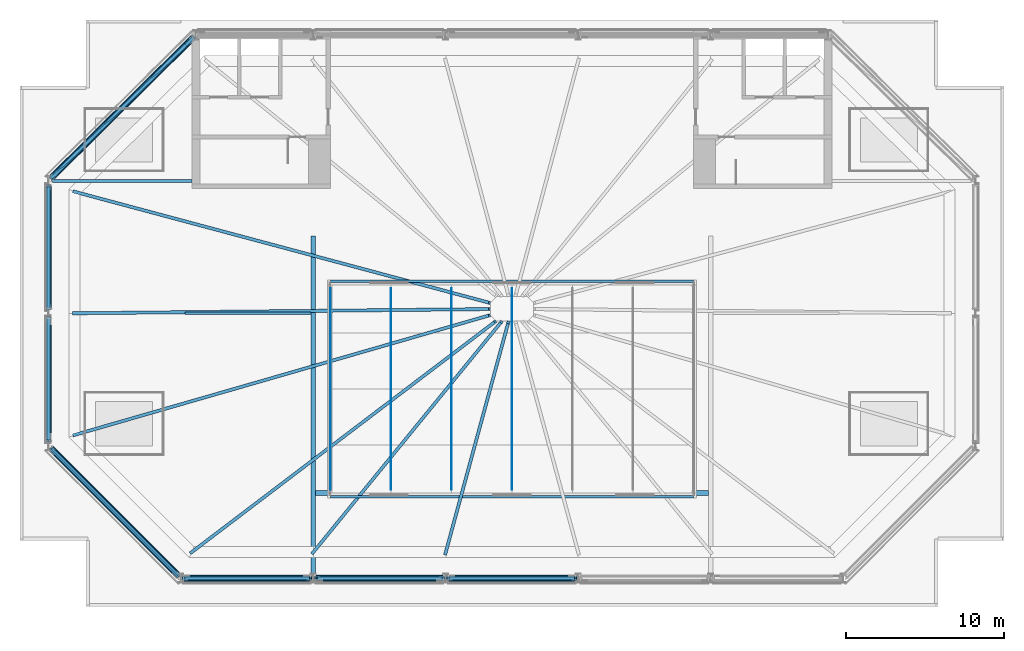
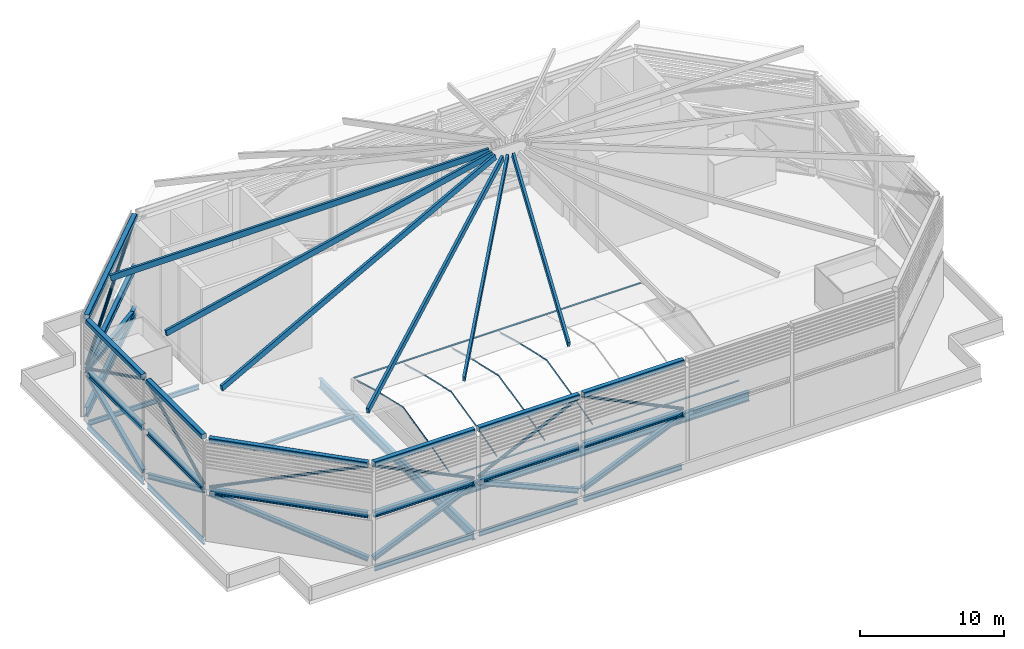
# One storey, part 3 of 22: 38 members, 24 beams, 2 elements without a shape of their own.
"""IFC4 building model written with IfcOpenShell, lengths in metres."""

from ifc_helpers import new_model, si_unit, direction, frame, origin, origin_2d, place, context, subcontext, project, spatial, rectangle, hollow_rectangle, hollow_circle, i_section, extrude, material, material_profile, profile_set, type_object, element, aggregate, save


model = new_model("IFC4")

# Units and contexts
model_context = context("Model", 3, precision=1e-05, world=origin(), true_north=direction((0.0, 1.0)))
body_context = subcontext(model_context, "Body", "Model", "MODEL_VIEW")
ifc_project = project(units=[si_unit("LENGTHUNIT", "METRE"), si_unit("AREAUNIT", "SQUARE_METRE"), si_unit("VOLUMEUNIT", "CUBIC_METRE"), si_unit("PLANEANGLEUNIT", "RADIAN"), si_unit("MASSUNIT", "GRAM", prefix="KILO")], contexts=[model_context])

# Site, building, storey
site_placement = place(None, origin())
site = spatial("IfcSite", under=ifc_project, at=site_placement, CompositionType="ELEMENT")
building_placement = place(site_placement, origin())
building = spatial("IfcBuilding", under=site, at=building_placement, Name="Saffron Gate Tower", CompositionType="ELEMENT")
storey_placement = place(building_placement, frame((0.0, 0.0, 314.85009765625)))
storey = spatial("IfcBuildingStorey", under=building, at=storey_placement, Name="Roof crown", CompositionType="ELEMENT", Elevation=314.85009765625)

# Beams
ifc_material_1 = material(Name="Structural steel S355", Category="steel")
ifc_material_profile_1 = material_profile(ifc_material_1, i_section(OverallWidth=0.300048828125, OverallDepth=0.7900390625, WebThickness=0.014892578125, FlangeThickness=0.028076171875, FilletRadius=0.030029296875, at=origin_2d()))
ifc_profile_set_1 = profile_set([ifc_material_profile_1], Name="Structural steel S355")
beam_type_1 = type_object("IfcBeamType", Name="B18 HEA 800", PredefinedType="BEAM", material=ifc_profile_set_1)
beam_1_placement = place(storey_placement, frame((75.0, 40.449951171875, -0.695068359375), z_axis=(0.0, 1.0, 0.0), x_axis=(-1.0, 0.0, 0.0)))
element("IfcBeam", 1, at=beam_1_placement, inside=storey, type_object=beam_type_1, Name="B18 ATRIUM GIRDER", PredefinedType="BEAM", context=body_context, shape_type="SweptSolid", body=[
    extrude(i_section(OverallWidth=0.300048828125, OverallDepth=0.7900390625, WebThickness=0.014892578125, FlangeThickness=0.028076171875, FilletRadius=0.030029296875, at=origin_2d()), origin(), (0.0, 0.0, 1.0), 21.449951171875),
])
beam_2_placement = place(storey_placement, frame((75.14990234375, 45.60009765625, -0.695068359375), z_axis=(1.0, 0.0, 0.0), x_axis=(0.0, 1.0, 0.0)))
element("IfcBeam", 2, at=beam_2_placement, inside=storey, type_object=beam_type_1, Name="B18 ATRIUM GIRDER", PredefinedType="BEAM", context=body_context, shape_type="SweptSolid", body=[
    extrude(i_section(OverallWidth=0.300048828125, OverallDepth=0.7900390625, WebThickness=0.014892578125, FlangeThickness=0.028076171875, FilletRadius=0.030029296875, at=origin_2d()), origin(), (0.0, 0.0, 1.0), 24.900146484375),
])
ifc_material_profile_2 = material_profile(ifc_material_1, i_section(OverallWidth=0.179931640625, OverallDepth=0.39990234375, WebThickness=0.008544921875, FlangeThickness=0.013427734375, FilletRadius=0.02099609375, at=origin_2d()))
ifc_profile_set_2 = profile_set([ifc_material_profile_2], Name="Structural steel S355")
beam_type_2 = type_object("IfcBeamType", Name="B4 IPE 400", PredefinedType="BEAM", material=ifc_profile_set_2)
beam_3_placement = place(storey_placement, frame((66.85009765625, 57.0, -0.5), z_axis=(1.0, 0.0, 0.0), x_axis=(0.0, 1.0, 0.0)))
element("IfcBeam", 3, at=beam_3_placement, inside=storey, type_object=beam_type_2, Name="B4 CORE TIE BEAM", PredefinedType="BEAM", context=body_context, shape_type="SweptSolid", body=[
    extrude(i_section(OverallWidth=0.179931640625, OverallDepth=0.39990234375, WebThickness=0.008544921875, FlangeThickness=0.013427734375, FilletRadius=0.02099609375, at=origin_2d()), origin(), (0.0, 0.0, 1.0), 8.0),
])
beam_4_placement = place(storey_placement, frame((58.449951171875, 65.39990234375, -0.5), z_axis=(1.0, 0.0, 0.0), x_axis=(0.0, 1.0, 0.0)))
element("IfcBeam", 4, at=beam_4_placement, inside=storey, type_object=beam_type_2, Name="B4 CORE TIE BEAM", PredefinedType="BEAM", context=body_context, shape_type="SweptSolid", body=[
    extrude(i_section(OverallWidth=0.179931640625, OverallDepth=0.39990234375, WebThickness=0.008544921875, FlangeThickness=0.013427734375, FilletRadius=0.02099609375, at=origin_2d()), origin(), (0.0, 0.0, 1.0), 8.85009765625),
])
ifc_material_profile_3 = material_profile(ifc_material_1, i_section(OverallWidth=0.179931640625, OverallDepth=0.39990234375, WebThickness=0.008544921875, FlangeThickness=0.013427734375, FilletRadius=0.02099609375, at=origin_2d()))
ifc_profile_set_3 = profile_set([ifc_material_profile_3], Name="Structural steel S355")
beam_type_3 = type_object("IfcBeamType", Name="B5 IPE 400", PredefinedType="SPANDREL", material=ifc_profile_set_3)
for number, where, z_axis, x_axis, name in (
    (5, (58.199951171875, 48.85009765625, -0.5), (0.0, 1.0, 0.0), (-1.0, 0.0, 0.0), "B5 SPANDREL BEAM"),
    (6, (58.199951171875, 57.25, -0.5), (0.0, 1.0, 0.0), (-1.0, 0.0, 0.0), "B5 SPANDREL BEAM"),
    (7, (66.85009765625, 40.199951171875, -0.5), (1.0, 0.0, 0.0), (0.0, 1.0, 0.0), "B5 SPANDREL BEAM"),
    (8, (75.25, 40.199951171875, -0.5), (1.0, 0.0, 0.0), (0.0, 1.0, 0.0), "B5 SPANDREL BEAM"),
):
    element("IfcBeam", number, at=place(storey_placement, frame(where, z_axis=z_axis, x_axis=x_axis)), inside=storey, type_object=beam_type_3, Name=name, PredefinedType="SPANDREL", context=body_context, shape_type="SweptSolid", body=[
        extrude(i_section(OverallWidth=0.179931640625, OverallDepth=0.39990234375, WebThickness=0.008544921875, FlangeThickness=0.013427734375, FilletRadius=0.02099609375, at=origin_2d()), origin(), (0.0, 0.0, 1.0), 7.89990234375),
    ])
beam_5_placement = place(storey_placement, frame((83.64990234375, 40.199951171875, -0.5), z_axis=(1.0, 0.0, 0.0), x_axis=(0.0, 1.0, 0.0)))
element("IfcBeam", 9, at=beam_5_placement, inside=storey, type_object=beam_type_3, Name="B5 SPANDREL BEAM", PredefinedType="SPANDREL", context=body_context, shape_type="SweptSolid", body=[
    extrude(i_section(OverallWidth=0.179931640625, OverallDepth=0.39990234375, WebThickness=0.008544921875, FlangeThickness=0.013427734375, FilletRadius=0.02099609375, at=origin_2d()), origin(), (0.0, 0.0, 1.0), 7.900146484375),
])

# Members
ifc_material_profile_4 = material_profile(ifc_material_1, hollow_circle(Radius=0.122314453125, WallThickness=0.010009765625, at=origin_2d()))
ifc_profile_set_4 = profile_set([ifc_material_profile_4], Name="Structural steel S355")
member_type_1 = type_object("IfcMemberType", Name="CF1 CHS 244.5x10", PredefinedType="BRACE", material=ifc_profile_set_4)
for number, where, z_axis, x_axis, name in (
    (10, (74.830078125, 40.199951171875, 4.39990234375), (-0.902339488073, 0.0, 0.431026041283), (0.0, -1.0, 0.0), "CF1 CROWN FRAME BRACE"),
    (11, (75.169921875, 40.199951171875, 4.39990234375), (0.902339488073, 0.0, 0.431026041283), (0.0, 1.0, 0.0), "CF1 CROWN FRAME BRACE"),
):
    element("IfcMember", number, at=place(storey_placement, frame(where, z_axis=z_axis, x_axis=x_axis)), inside=storey, type_object=member_type_1, Name=name, PredefinedType="BRACE", context=body_context, shape_type="SweptSolid", body=[
        extrude(hollow_circle(Radius=0.122314453125, WallThickness=0.010009765625, at=origin_2d()), origin(), (0.0, 0.0, 1.0), 8.932373046875),
    ])
member_1_placement = place(storey_placement, frame((91.6298828125, 40.199951171875, 4.39990234375), z_axis=(-0.902334410047, 0.0, 0.431036671809), x_axis=(0.0, -1.0, 0.0)))
element("IfcMember", 12, at=member_1_placement, inside=storey, type_object=member_type_1, Name="CF1 CROWN FRAME BRACE", PredefinedType="BRACE", context=body_context, shape_type="SweptSolid", body=[
    extrude(hollow_circle(Radius=0.122314453125, WallThickness=0.010009765625, at=origin_2d()), origin(), (0.0, 0.0, 1.0), 8.93212890625),
])
member_2_placement = place(storey_placement, frame((58.3642578125, 65.5625, 4.39990234375), z_axis=(0.680277193637, 0.673005341194, 0.290321805143), x_axis=(-0.703296995209, 0.710896150313, 0.0)))
element("IfcMember", 13, at=member_2_placement, inside=storey, type_object=member_type_1, Name="CF1 CROWN FRAME BRACE", PredefinedType="BRACE", context=body_context, shape_type="SweptSolid", body=[
    extrude(hollow_circle(Radius=0.122314453125, WallThickness=0.010009765625, at=origin_2d()), origin(), (0.0, 0.0, 1.0), 13.261474609375),
])
for number, where, z_axis, x_axis, name in (
    (14, (58.199951171875, 65.080078125, 4.39990234375), (0.0, -0.895803904759, 0.444449506939), (1.0, 0.0, 0.0), "CF1 CROWN FRAME BRACE"),
    (15, (58.199951171875, 48.919921875, 4.39990234375), (0.0, 0.895803904759, 0.444449506939), (-1.0, 0.0, 0.0), "CF1 CROWN FRAME BRACE"),
):
    element("IfcMember", number, at=place(storey_placement, frame(where, z_axis=z_axis, x_axis=x_axis)), inside=storey, type_object=member_type_1, Name=name, PredefinedType="BRACE", context=body_context, shape_type="SweptSolid", body=[
        extrude(hollow_circle(Radius=0.122314453125, WallThickness=0.010009765625, at=origin_2d()), origin(), (0.0, 0.0, 1.0), 8.66259765625),
    ])
member_3_placement = place(storey_placement, frame((58.364013671875, 48.435791015625, 4.39990234375), z_axis=(0.670023339584, -0.670023339584, 0.319589500491), x_axis=(0.707106781187, 0.707106781187, 0.0)))
element("IfcMember", 16, at=member_3_placement, inside=storey, type_object=member_type_1, Name="CF1 CROWN FRAME BRACE", PredefinedType="BRACE", context=body_context, shape_type="SweptSolid", body=[
    extrude(hollow_circle(Radius=0.122314453125, WallThickness=0.010009765625, at=origin_2d()), origin(), (0.0, 0.0, 1.0), 12.047119140625),
])
ifc_material_profile_5 = material_profile(ifc_material_1, i_section(OverallWidth=0.300048828125, OverallDepth=0.39990234375, WebThickness=0.013427734375, FlangeThickness=0.02392578125, FilletRadius=0.027099609375, at=origin_2d()))
ifc_profile_set_5 = profile_set([ifc_material_profile_5], Name="Structural steel S355")
member_type_2 = type_object("IfcMemberType", Name="CF2 HEB 400", PredefinedType="BRACE", material=ifc_profile_set_5)
for number, where, z_axis, x_axis, name in (
    (17, (66.739990234375, 40.199951171875, 0.39990234375), (0.917791573619, 0.0, 0.397062498096), (0.0, 1.0, 0.0), "CF2 CROWN FRAME BRACE"),
    (18, (83.260009765625, 40.199951171875, 0.39990234375), (-0.917791573619, 0.0, 0.397062498096), (0.0, -1.0, 0.0), "CF2 CROWN FRAME BRACE"),
):
    element("IfcMember", number, at=place(storey_placement, frame(where, z_axis=z_axis, x_axis=x_axis)), inside=storey, type_object=member_type_2, Name=name, PredefinedType="BRACE", context=body_context, shape_type="SweptSolid", body=[
        extrude(i_section(OverallWidth=0.300048828125, OverallDepth=0.39990234375, WebThickness=0.013427734375, FlangeThickness=0.02392578125, FilletRadius=0.027099609375, at=origin_2d()), origin(), (0.0, 0.0, 1.0), 8.814697265625),
    ])
member_4_placement = place(storey_placement, frame((83.5400390625, 40.199951171875, 0.39990234375), z_axis=(0.9177872068, 0.0, 0.397072591643), x_axis=(0.0, 1.0, 0.0)))
element("IfcMember", 19, at=member_4_placement, inside=storey, type_object=member_type_2, Name="CF2 CROWN FRAME BRACE", PredefinedType="BRACE", context=body_context, shape_type="SweptSolid", body=[
    extrude(i_section(OverallWidth=0.300048828125, OverallDepth=0.39990234375, WebThickness=0.013427734375, FlangeThickness=0.02392578125, FilletRadius=0.027099609375, at=origin_2d()), origin(), (0.0, 0.0, 1.0), 8.814453125),
])
member_5_placement = place(storey_placement, frame((67.406982421875, 74.508544921875, 0.39990234375), z_axis=(-0.685423613367, -0.678095452485, 0.265294228279), x_axis=(0.703296316134, -0.710896822129, 0.0)))
element("IfcMember", 20, at=member_5_placement, inside=storey, type_object=member_type_2, Name="CF2 CROWN FRAME BRACE", PredefinedType="BRACE", context=body_context, shape_type="SweptSolid", body=[
    extrude(i_section(OverallWidth=0.300048828125, OverallDepth=0.39990234375, WebThickness=0.013427734375, FlangeThickness=0.02392578125, FilletRadius=0.027099609375, at=origin_2d()), origin(), (0.0, 0.0, 1.0), 13.19287109375),
])
for number, where, z_axis, x_axis, name in (
    (21, (58.199951171875, 57.2900390625, 0.39990234375), (0.0, 0.912163120456, 0.409827331543), (-1.0, 0.0, 0.0), "CF2 CROWN FRAME BRACE"),
    (22, (58.199951171875, 56.7099609375, 0.39990234375), (0.0, -0.912163120456, 0.409827331543), (1.0, 0.0, 0.0), "CF2 CROWN FRAME BRACE"),
):
    element("IfcMember", number, at=place(storey_placement, frame(where, z_axis=z_axis, x_axis=x_axis)), inside=storey, type_object=member_type_2, Name=name, PredefinedType="BRACE", context=body_context, shape_type="SweptSolid", body=[
        extrude(i_section(OverallWidth=0.300048828125, OverallDepth=0.39990234375, WebThickness=0.013427734375, FlangeThickness=0.02392578125, FilletRadius=0.027099609375, at=origin_2d()), origin(), (0.0, 0.0, 1.0), 8.540283203125),
    ])
member_6_placement = place(storey_placement, frame((66.45703125, 40.343017578125, 0.39990234375), z_axis=(-0.676205121472, 0.676184722512, 0.292439489017), x_axis=(-0.707096115363, -0.707117446849, 0.0)))
element("IfcMember", 23, at=member_6_placement, inside=storey, type_object=member_type_2, Name="CF2 CROWN FRAME BRACE", PredefinedType="BRACE", context=body_context, shape_type="SweptSolid", body=[
    extrude(i_section(OverallWidth=0.300048828125, OverallDepth=0.39990234375, WebThickness=0.013427734375, FlangeThickness=0.02392578125, FilletRadius=0.027099609375, at=origin_2d()), origin(), (0.0, 0.0, 1.0), 11.96826171875),
])

# Beams
ifc_material_profile_6 = material_profile(ifc_material_1, hollow_rectangle(XDim=0.39990234375, YDim=0.39990234375, WallThickness=0.01611328125, InnerFilletRadius=0.031982421875, OuterFilletRadius=0.048095703125, at=origin_2d()))
ifc_profile_set_6 = profile_set([ifc_material_profile_6], Name="Structural steel S355")
beam_type_4 = type_object("IfcBeamType", Name="CF4 SHS 400x400x16", PredefinedType="BEAM", material=ifc_profile_set_6)
for number, where, z_axis, x_axis, name in (
    (24, (66.77001953125, 40.199951171875, 8.449951171875), (1.0, 0.0, 0.0), (0.0, 1.0, 0.0), "CF4 CROWN FRAME TOP RING BEAM"),
    (25, (75.169921875, 40.199951171875, 8.449951171875), (1.0, 0.0, 0.0), (0.0, 1.0, 0.0), "CF4 CROWN FRAME TOP RING BEAM"),
):
    element("IfcBeam", number, at=place(storey_placement, frame(where, z_axis=z_axis, x_axis=x_axis)), inside=storey, type_object=beam_type_4, Name=name, PredefinedType="BEAM", context=body_context, shape_type="SweptSolid", body=[
        extrude(hollow_rectangle(XDim=0.39990234375, YDim=0.39990234375, WallThickness=0.01611328125, InnerFilletRadius=0.031982421875, OuterFilletRadius=0.048095703125, at=origin_2d()), origin(), (0.0, 0.0, 1.0), 8.06005859375),
    ])
beam_6_placement = place(storey_placement, frame((83.570068359375, 40.199951171875, 8.449951171875), z_axis=(1.0, 0.0, 0.0), x_axis=(0.0, 1.0, 0.0)))
element("IfcBeam", 26, at=beam_6_placement, inside=storey, type_object=beam_type_4, Name="CF4 CROWN FRAME TOP RING BEAM", PredefinedType="BEAM", context=body_context, shape_type="SweptSolid", body=[
    extrude(hollow_rectangle(XDim=0.39990234375, YDim=0.39990234375, WallThickness=0.01611328125, InnerFilletRadius=0.031982421875, OuterFilletRadius=0.048095703125, at=origin_2d()), origin(), (0.0, 0.0, 1.0), 8.059814453125),
])
beam_7_placement = place(storey_placement, frame((67.3857421875, 74.487548828125, 8.449951171875), z_axis=(-0.710896150313, -0.703296995209, 0.0), x_axis=(0.703296995209, -0.710896150313, 0.0)))
element("IfcBeam", 27, at=beam_7_placement, inside=storey, type_object=beam_type_4, Name="CF4 CROWN FRAME TOP RING BEAM", PredefinedType="BEAM", context=body_context, shape_type="SweptSolid", body=[
    extrude(hollow_rectangle(XDim=0.39990234375, YDim=0.39990234375, WallThickness=0.01611328125, InnerFilletRadius=0.031982421875, OuterFilletRadius=0.048095703125, at=origin_2d()), origin(), (0.0, 0.0, 1.0), 12.690185546875),
])
for number, where, z_axis, x_axis, name in (
    (28, (58.199951171875, 65.080078125, 8.449951171875), (0.0, -1.0, 0.0), (1.0, 0.0, 0.0), "CF4 CROWN FRAME TOP RING BEAM"),
    (29, (58.199951171875, 56.679931640625, 8.449951171875), (0.0, -1.0, 0.0), (1.0, 0.0, 0.0), "CF4 CROWN FRAME TOP RING BEAM"),
):
    element("IfcBeam", number, at=place(storey_placement, frame(where, z_axis=z_axis, x_axis=x_axis)), inside=storey, type_object=beam_type_4, Name=name, PredefinedType="BEAM", context=body_context, shape_type="SweptSolid", body=[
        extrude(hollow_rectangle(XDim=0.39990234375, YDim=0.39990234375, WallThickness=0.01611328125, InnerFilletRadius=0.031982421875, OuterFilletRadius=0.048095703125, at=origin_2d()), origin(), (0.0, 0.0, 1.0), 7.760009765625),
    ])
beam_8_placement = place(storey_placement, frame((58.364013671875, 48.435791015625, 8.449951171875), z_axis=(0.707106781187, -0.707106781187, 0.0), x_axis=(0.707106781187, 0.707106781187, 0.0)))
element("IfcBeam", 30, at=beam_8_placement, inside=storey, type_object=beam_type_4, Name="CF4 CROWN FRAME TOP RING BEAM", PredefinedType="BEAM", context=body_context, shape_type="SweptSolid", body=[
    extrude(hollow_rectangle(XDim=0.39990234375, YDim=0.39990234375, WallThickness=0.01611328125, InnerFilletRadius=0.031982421875, OuterFilletRadius=0.048095703125, at=origin_2d()), origin(), (0.0, 0.0, 1.0), 11.415283203125),
])
ifc_material_profile_7 = material_profile(ifc_material_1, i_section(OverallWidth=0.300048828125, OverallDepth=0.5, WebThickness=0.014404296875, FlangeThickness=0.028076171875, FilletRadius=0.027099609375, at=origin_2d()))
ifc_profile_set_7 = profile_set([ifc_material_profile_7], Name="Structural steel S355")
beam_type_5 = type_object("IfcBeamType", Name="CF5 HEB 500", PredefinedType="BEAM", material=ifc_profile_set_7)
for number, where, z_axis, x_axis, name in (
    (31, (66.77001953125, 40.199951171875, 4.14990234375), (1.0, 0.0, 0.0), (0.0, 1.0, 0.0), "CF5 CROWN FRAME MID RING BEAM"),
    (32, (75.169921875, 40.199951171875, 4.14990234375), (1.0, 0.0, 0.0), (0.0, 1.0, 0.0), "CF5 CROWN FRAME MID RING BEAM"),
):
    element("IfcBeam", number, at=place(storey_placement, frame(where, z_axis=z_axis, x_axis=x_axis)), inside=storey, type_object=beam_type_5, Name=name, PredefinedType="BEAM", context=body_context, shape_type="SweptSolid", body=[
        extrude(i_section(OverallWidth=0.300048828125, OverallDepth=0.5, WebThickness=0.014404296875, FlangeThickness=0.028076171875, FilletRadius=0.027099609375, at=origin_2d()), origin(), (0.0, 0.0, 1.0), 8.06005859375),
    ])
beam_9_placement = place(storey_placement, frame((83.570068359375, 40.199951171875, 4.14990234375), z_axis=(1.0, 0.0, 0.0), x_axis=(0.0, 1.0, 0.0)))
element("IfcBeam", 33, at=beam_9_placement, inside=storey, type_object=beam_type_5, Name="CF5 CROWN FRAME MID RING BEAM", PredefinedType="BEAM", context=body_context, shape_type="SweptSolid", body=[
    extrude(i_section(OverallWidth=0.300048828125, OverallDepth=0.5, WebThickness=0.014404296875, FlangeThickness=0.028076171875, FilletRadius=0.027099609375, at=origin_2d()), origin(), (0.0, 0.0, 1.0), 8.059814453125),
])
beam_10_placement = place(storey_placement, frame((67.3857421875, 74.487548828125, 4.14990234375), z_axis=(-0.710896150313, -0.703296995209, 0.0), x_axis=(0.703296995209, -0.710896150313, 0.0)))
element("IfcBeam", 34, at=beam_10_placement, inside=storey, type_object=beam_type_5, Name="CF5 CROWN FRAME MID RING BEAM", PredefinedType="BEAM", context=body_context, shape_type="SweptSolid", body=[
    extrude(i_section(OverallWidth=0.300048828125, OverallDepth=0.5, WebThickness=0.014404296875, FlangeThickness=0.028076171875, FilletRadius=0.027099609375, at=origin_2d()), origin(), (0.0, 0.0, 1.0), 12.690185546875),
])
for number, where, z_axis, x_axis, name in (
    (35, (58.199951171875, 65.080078125, 4.14990234375), (0.0, -1.0, 0.0), (1.0, 0.0, 0.0), "CF5 CROWN FRAME MID RING BEAM"),
    (36, (58.199951171875, 56.679931640625, 4.14990234375), (0.0, -1.0, 0.0), (1.0, 0.0, 0.0), "CF5 CROWN FRAME MID RING BEAM"),
):
    element("IfcBeam", number, at=place(storey_placement, frame(where, z_axis=z_axis, x_axis=x_axis)), inside=storey, type_object=beam_type_5, Name=name, PredefinedType="BEAM", context=body_context, shape_type="SweptSolid", body=[
        extrude(i_section(OverallWidth=0.300048828125, OverallDepth=0.5, WebThickness=0.014404296875, FlangeThickness=0.028076171875, FilletRadius=0.027099609375, at=origin_2d()), origin(), (0.0, 0.0, 1.0), 7.760009765625),
    ])
beam_11_placement = place(storey_placement, frame((58.364013671875, 48.435791015625, 4.14990234375), z_axis=(0.707106781187, -0.707106781187, 0.0), x_axis=(0.707106781187, 0.707106781187, 0.0)))
element("IfcBeam", 37, at=beam_11_placement, inside=storey, type_object=beam_type_5, Name="CF5 CROWN FRAME MID RING BEAM", PredefinedType="BEAM", context=body_context, shape_type="SweptSolid", body=[
    extrude(i_section(OverallWidth=0.300048828125, OverallDepth=0.5, WebThickness=0.014404296875, FlangeThickness=0.028076171875, FilletRadius=0.027099609375, at=origin_2d()), origin(), (0.0, 0.0, 1.0), 11.415283203125),
])
ifc_material_profile_8 = material_profile(ifc_material_1, i_section(OverallWidth=0.300048828125, OverallDepth=0.800048828125, WebThickness=0.017578125, FlangeThickness=0.032958984375, FilletRadius=0.030029296875, at=origin_2d()))
ifc_profile_set_8 = profile_set([ifc_material_profile_8], Name="Structural steel S355")
beam_type_6 = type_object("IfcBeamType", Name="CF6 HEB 800", PredefinedType="BEAM", material=ifc_profile_set_8)
beam_12_placement = place(storey_placement, frame((67.406982421875, 74.508544921875, 0.39990234375), z_axis=(-0.710897490797, -0.703295640238, 0.0), x_axis=(0.703295640238, -0.710897490797, 0.0)))
element("IfcBeam", 38, at=beam_12_placement, inside=storey, type_object=beam_type_6, Name="CF6 CROWN FRAME SILL BEAM", PredefinedType="BEAM", context=body_context, shape_type="SweptSolid", body=[
    extrude(i_section(OverallWidth=0.300048828125, OverallDepth=0.800048828125, WebThickness=0.017578125, FlangeThickness=0.032958984375, FilletRadius=0.030029296875, at=origin_2d()), origin(), (0.0, 0.0, 1.0), 12.75),
])

# Curtain wall, members
ifc_material_2 = material(Name="Aluminium, bronze anodised", Category="aluminium")
curtain_wall_type_1 = type_object("IfcCurtainWallType", Name="DMS1 glass roof system", PredefinedType="NOTDEFINED", material=ifc_material_2)
curtain_wall_1_placement = place(storey_placement, origin())
curtain_wall_1 = element("IfcCurtainWall", 39, at=curtain_wall_1_placement, inside=storey, type_object=curtain_wall_type_1, Name="DMS1 glass roof system", PredefinedType="NOTDEFINED")
ifc_material_profile_9 = material_profile(ifc_material_2, rectangle(XDim=0.199951171875, YDim=0.5, at=origin_2d()))
ifc_profile_set_9 = profile_set([ifc_material_profile_9], Name="Aluminium, bronze anodised")
member_type_3 = type_object("IfcMemberType", Name="DM3 hip rib", PredefinedType="MULLION", material=ifc_profile_set_9)
member_7_placement = place(storey_placement, frame((67.237060546875, 41.814697265625, 11.781982421875), z_axis=(0.774298231969, 0.588174782445, 0.233479492172), x_axis=(-0.604892980203, 0.796306776626, 0.0)))
member_7 = element("IfcMember", 40, at=member_7_placement, type_object=member_type_3, Name="GLASS ROOF hip rib", PredefinedType="MULLION", context=body_context, shape_type="SweptSolid", body=[
    extrude(rectangle(XDim=0.199951171875, YDim=0.5, at=origin_2d()), origin(), (0.0, 0.0, 1.0), 24.926513671875),
])
member_8_placement = place(storey_placement, frame((74.95361328125, 41.793212890625, 11.776123046875), z_axis=(0.604503724399, 0.740399623771, 0.29391094622), x_axis=(-0.774612063996, 0.632436676919, 0.0)))
member_8 = element("IfcMember", 41, at=member_8_placement, type_object=member_type_3, Name="GLASS ROOF hip rib", PredefinedType="MULLION", context=body_context, shape_type="SweptSolid", body=[
    extrude(rectangle(XDim=0.199951171875, YDim=0.5, at=origin_2d()), origin(), (0.0, 0.0, 1.0), 19.80126953125),
])
member_9_placement = place(storey_placement, frame((83.37646484375, 41.763671875, 11.7705078125), z_axis=(0.245222537935, 0.901064911467, 0.357698102052), x_axis=(-0.964905695662, 0.262596645977, 0.0)))
member_9 = element("IfcMember", 42, at=member_9_placement, type_object=member_type_3, Name="GLASS ROOF hip rib", PredefinedType="MULLION", context=body_context, shape_type="SweptSolid", body=[
    extrude(rectangle(XDim=0.199951171875, YDim=0.5, at=origin_2d()), origin(), (0.0, 0.0, 1.0), 16.27099609375),
])
member_10_placement = place(storey_placement, frame((59.799560546875, 64.724853515625, 11.783447265625), z_axis=(0.944742376587, -0.252903039772, 0.208571077462), x_axis=(0.258590158448, 0.965987127219, 0.0)))
member_10 = element("IfcMember", 43, at=member_10_placement, type_object=member_type_3, Name="GLASS ROOF hip rib", PredefinedType="MULLION", context=body_context, shape_type="SweptSolid", body=[
    extrude(rectangle(XDim=0.199951171875, YDim=0.5, at=origin_2d()), origin(), (0.0, 0.0, 1.0), 27.904541015625),
])
member_11_placement = place(storey_placement, frame((59.796142578125, 56.99951171875, 11.783203125), z_axis=(0.97643995169, 0.00994697166, 0.215559918582), x_axis=(-0.010186448805, 0.999948116784, 0.0)))
member_11 = element("IfcMember", 44, at=member_11_placement, type_object=member_type_3, Name="GLASS ROOF hip rib", PredefinedType="MULLION", context=body_context, shape_type="SweptSolid", body=[
    extrude(rectangle(XDim=0.199951171875, YDim=0.5, at=origin_2d()), origin(), (0.0, 0.0, 1.0), 26.99853515625),
])
member_12_placement = place(storey_placement, frame((59.80029296875, 49.26904296875, 11.783447265625), z_axis=(0.939956768149, 0.270957902595, 0.20751647894), x_axis=(-0.276987498822, 0.960873522112, 0.0)))
member_12 = element("IfcMember", 45, at=member_12_placement, type_object=member_type_3, Name="GLASS ROOF hip rib", PredefinedType="MULLION", context=body_context, shape_type="SweptSolid", body=[
    extrude(rectangle(XDim=0.199951171875, YDim=0.5, at=origin_2d()), origin(), (0.0, 0.0, 1.0), 28.04638671875),
])
aggregate(curtain_wall_1, [member_7, member_8, member_9, member_10, member_11, member_12])

curtain_wall_type_2 = type_object("IfcCurtainWallType", Name="SKS1 skylight glazing system", PredefinedType="NOTDEFINED", material=ifc_material_2)
curtain_wall_2_placement = place(storey_placement, origin())
curtain_wall_2 = element("IfcCurtainWall", 46, at=curtain_wall_2_placement, inside=storey, type_object=curtain_wall_type_2, Name="SKS1 skylight glazing system", PredefinedType="NOTDEFINED")
ifc_material_profile_10 = material_profile(ifc_material_2, rectangle(XDim=0.050048828125, YDim=0.080078125, at=origin_2d()))
ifc_profile_set_10 = profile_set([ifc_material_profile_10], Name="Aluminium, bronze anodised")
member_type_4 = type_object("IfcMemberType", Name="SK2 glazing bar", PredefinedType="MULLION", material=ifc_profile_set_10)
member_13_placement = place(storey_placement, frame((76.090087890625, 45.80859375, 1.0576171875), z_axis=(0.0, 0.962655620187, 0.270728936248), x_axis=(-1.0, 0.0, 0.0)))
member_13 = element("IfcMember", 47, at=member_13_placement, type_object=member_type_4, Name="SKYLIGHT glazing bar", PredefinedType="MULLION", context=body_context, shape_type="SweptSolid", body=[
    extrude(rectangle(XDim=0.050048828125, YDim=0.080078125, at=origin_2d()), origin(), (0.0, 0.0, 1.0), 2.97412109375),
])
member_14_placement = place(storey_placement, frame((79.9267578125, 45.80859375, 1.0576171875), z_axis=(0.0, 0.962655620187, 0.270728936248), x_axis=(-1.0, 0.0, 0.0)))
member_14 = element("IfcMember", 48, at=member_14_placement, type_object=member_type_4, Name="SKYLIGHT glazing bar", PredefinedType="MULLION", context=body_context, shape_type="SweptSolid", body=[
    extrude(rectangle(XDim=0.050048828125, YDim=0.080078125, at=origin_2d()), origin(), (0.0, 0.0, 1.0), 2.97412109375),
])
member_15_placement = place(storey_placement, frame((83.763427734375, 45.80859375, 1.0576171875), z_axis=(0.0, 0.962655620187, 0.270728936248), x_axis=(-1.0, 0.0, 0.0)))
member_15 = element("IfcMember", 49, at=member_15_placement, type_object=member_type_4, Name="SKYLIGHT glazing bar", PredefinedType="MULLION", context=body_context, shape_type="SweptSolid", body=[
    extrude(rectangle(XDim=0.050048828125, YDim=0.080078125, at=origin_2d()), origin(), (0.0, 0.0, 1.0), 2.97412109375),
])
member_16_placement = place(storey_placement, frame((87.60009765625, 45.80859375, 1.0576171875), z_axis=(0.0, 0.962655620187, 0.270728936248), x_axis=(-1.0, 0.0, 0.0)))
member_16 = element("IfcMember", 50, at=member_16_placement, type_object=member_type_4, Name="SKYLIGHT glazing bar", PredefinedType="MULLION", context=body_context, shape_type="SweptSolid", body=[
    extrude(rectangle(XDim=0.050048828125, YDim=0.080078125, at=origin_2d()), origin(), (0.0, 0.0, 1.0), 2.97412109375),
])
member_17_placement = place(storey_placement, frame((76.090087890625, 48.66748046875, 1.86181640625), z_axis=(0.0, 0.975533909094, 0.219849021395), x_axis=(-1.0, 0.0, 0.0)))
member_17 = element("IfcMember", 51, at=member_17_placement, type_object=member_type_4, Name="SKYLIGHT glazing bar", PredefinedType="MULLION", context=body_context, shape_type="SweptSolid", body=[
    extrude(rectangle(XDim=0.050048828125, YDim=0.080078125, at=origin_2d()), origin(), (0.0, 0.0, 1.0), 3.63916015625),
])
member_18_placement = place(storey_placement, frame((79.9267578125, 48.66748046875, 1.86181640625), z_axis=(0.0, 0.975533909094, 0.219849021395), x_axis=(-1.0, 0.0, 0.0)))
member_18 = element("IfcMember", 52, at=member_18_placement, type_object=member_type_4, Name="SKYLIGHT glazing bar", PredefinedType="MULLION", context=body_context, shape_type="SweptSolid", body=[
    extrude(rectangle(XDim=0.050048828125, YDim=0.080078125, at=origin_2d()), origin(), (0.0, 0.0, 1.0), 3.63916015625),
])
member_19_placement = place(storey_placement, frame((83.763427734375, 48.66748046875, 1.86181640625), z_axis=(0.0, 0.975533909094, 0.219849021395), x_axis=(-1.0, 0.0, 0.0)))
member_19 = element("IfcMember", 53, at=member_19_placement, type_object=member_type_4, Name="SKYLIGHT glazing bar", PredefinedType="MULLION", context=body_context, shape_type="SweptSolid", body=[
    extrude(rectangle(XDim=0.050048828125, YDim=0.080078125, at=origin_2d()), origin(), (0.0, 0.0, 1.0), 3.63916015625),
])
member_20_placement = place(storey_placement, frame((87.60009765625, 48.66748046875, 1.86181640625), z_axis=(0.0, 0.975533909094, 0.219849021395), x_axis=(-1.0, 0.0, 0.0)))
member_20 = element("IfcMember", 54, at=member_20_placement, type_object=member_type_4, Name="SKYLIGHT glazing bar", PredefinedType="MULLION", context=body_context, shape_type="SweptSolid", body=[
    extrude(rectangle(XDim=0.050048828125, YDim=0.080078125, at=origin_2d()), origin(), (0.0, 0.0, 1.0), 3.63916015625),
])
member_21_placement = place(storey_placement, frame((76.090087890625, 58.59130859375, 1.0576171875), z_axis=(0.0, -0.962655620187, 0.270728936248), x_axis=(1.0, 0.0, 0.0)))
member_21 = element("IfcMember", 55, at=member_21_placement, type_object=member_type_4, Name="SKYLIGHT glazing bar", PredefinedType="MULLION", context=body_context, shape_type="SweptSolid", body=[
    extrude(rectangle(XDim=0.050048828125, YDim=0.080078125, at=origin_2d()), origin(), (0.0, 0.0, 1.0), 2.97412109375),
])
member_22_placement = place(storey_placement, frame((79.9267578125, 58.59130859375, 1.0576171875), z_axis=(0.0, -0.962655620187, 0.270728936248), x_axis=(1.0, 0.0, 0.0)))
member_22 = element("IfcMember", 56, at=member_22_placement, type_object=member_type_4, Name="SKYLIGHT glazing bar", PredefinedType="MULLION", context=body_context, shape_type="SweptSolid", body=[
    extrude(rectangle(XDim=0.050048828125, YDim=0.080078125, at=origin_2d()), origin(), (0.0, 0.0, 1.0), 2.97412109375),
])
member_23_placement = place(storey_placement, frame((83.763427734375, 58.59130859375, 1.0576171875), z_axis=(0.0, -0.962655620187, 0.270728936248), x_axis=(1.0, 0.0, 0.0)))
member_23 = element("IfcMember", 57, at=member_23_placement, type_object=member_type_4, Name="SKYLIGHT glazing bar", PredefinedType="MULLION", context=body_context, shape_type="SweptSolid", body=[
    extrude(rectangle(XDim=0.050048828125, YDim=0.080078125, at=origin_2d()), origin(), (0.0, 0.0, 1.0), 2.97412109375),
])
member_24_placement = place(storey_placement, frame((87.60009765625, 58.59130859375, 1.0576171875), z_axis=(0.0, -0.962655620187, 0.270728936248), x_axis=(1.0, 0.0, 0.0)))
member_24 = element("IfcMember", 58, at=member_24_placement, type_object=member_type_4, Name="SKYLIGHT glazing bar", PredefinedType="MULLION", context=body_context, shape_type="SweptSolid", body=[
    extrude(rectangle(XDim=0.050048828125, YDim=0.080078125, at=origin_2d()), origin(), (0.0, 0.0, 1.0), 2.97412109375),
])
member_25_placement = place(storey_placement, frame((76.090087890625, 55.732421875, 1.86181640625), z_axis=(0.0, -0.975533909094, 0.219849021395), x_axis=(1.0, 0.0, 0.0)))
member_25 = element("IfcMember", 59, at=member_25_placement, type_object=member_type_4, Name="SKYLIGHT glazing bar", PredefinedType="MULLION", context=body_context, shape_type="SweptSolid", body=[
    extrude(rectangle(XDim=0.050048828125, YDim=0.080078125, at=origin_2d()), origin(), (0.0, 0.0, 1.0), 3.63916015625),
])
member_26_placement = place(storey_placement, frame((79.9267578125, 55.732421875, 1.86181640625), z_axis=(0.0, -0.975533909094, 0.219849021395), x_axis=(1.0, 0.0, 0.0)))
member_26 = element("IfcMember", 60, at=member_26_placement, type_object=member_type_4, Name="SKYLIGHT glazing bar", PredefinedType="MULLION", context=body_context, shape_type="SweptSolid", body=[
    extrude(rectangle(XDim=0.050048828125, YDim=0.080078125, at=origin_2d()), origin(), (0.0, 0.0, 1.0), 3.63916015625),
])
member_27_placement = place(storey_placement, frame((83.763427734375, 55.732421875, 1.86181640625), z_axis=(0.0, -0.975533909094, 0.219849021395), x_axis=(1.0, 0.0, 0.0)))
member_27 = element("IfcMember", 61, at=member_27_placement, type_object=member_type_4, Name="SKYLIGHT glazing bar", PredefinedType="MULLION", context=body_context, shape_type="SweptSolid", body=[
    extrude(rectangle(XDim=0.050048828125, YDim=0.080078125, at=origin_2d()), origin(), (0.0, 0.0, 1.0), 3.63916015625),
])
member_28_placement = place(storey_placement, frame((87.60009765625, 55.732421875, 1.86181640625), z_axis=(0.0, -0.975533909094, 0.219849021395), x_axis=(1.0, 0.0, 0.0)))
member_28 = element("IfcMember", 62, at=member_28_placement, type_object=member_type_4, Name="SKYLIGHT glazing bar", PredefinedType="MULLION", context=body_context, shape_type="SweptSolid", body=[
    extrude(rectangle(XDim=0.050048828125, YDim=0.080078125, at=origin_2d()), origin(), (0.0, 0.0, 1.0), 3.63916015625),
])
ifc_material_profile_11 = material_profile(ifc_material_2, rectangle(XDim=0.14990234375, YDim=0.050048828125, at=origin_2d()))
ifc_profile_set_11 = profile_set([ifc_material_profile_11], Name="Aluminium, bronze anodised")
member_type_5 = type_object("IfcMemberType", Name="SK5 eave rail", PredefinedType="MULLION", material=ifc_profile_set_11)
member_29_placement = place(storey_placement, frame((76.090087890625, 45.375, 1.02490234375), z_axis=(1.0, 0.0, 0.0), x_axis=(0.0, 1.0, 0.0)))
member_29 = element("IfcMember", 63, at=member_29_placement, type_object=member_type_5, Name="SKYLIGHT eave rail", PredefinedType="MULLION", context=body_context, shape_type="SweptSolid", body=[
    extrude(rectangle(XDim=0.14990234375, YDim=0.050048828125, at=origin_2d()), origin(), (0.0, 0.0, 1.0), 23.02001953125),
])
member_30_placement = place(storey_placement, frame((76.090087890625, 59.02490234375, 1.02490234375), z_axis=(1.0, 0.0, 0.0), x_axis=(0.0, 1.0, 0.0)))
member_30 = element("IfcMember", 64, at=member_30_placement, type_object=member_type_5, Name="SKYLIGHT eave rail", PredefinedType="MULLION", context=body_context, shape_type="SweptSolid", body=[
    extrude(rectangle(XDim=0.14990234375, YDim=0.050048828125, at=origin_2d()), origin(), (0.0, 0.0, 1.0), 23.02001953125),
])
aggregate(curtain_wall_2, [member_13, member_14, member_15, member_16, member_17, member_18, member_19, member_20, member_21, member_22, member_23, member_24, member_25, member_26, member_27, member_28, member_29, member_30])

save(model, "model.ifc")
